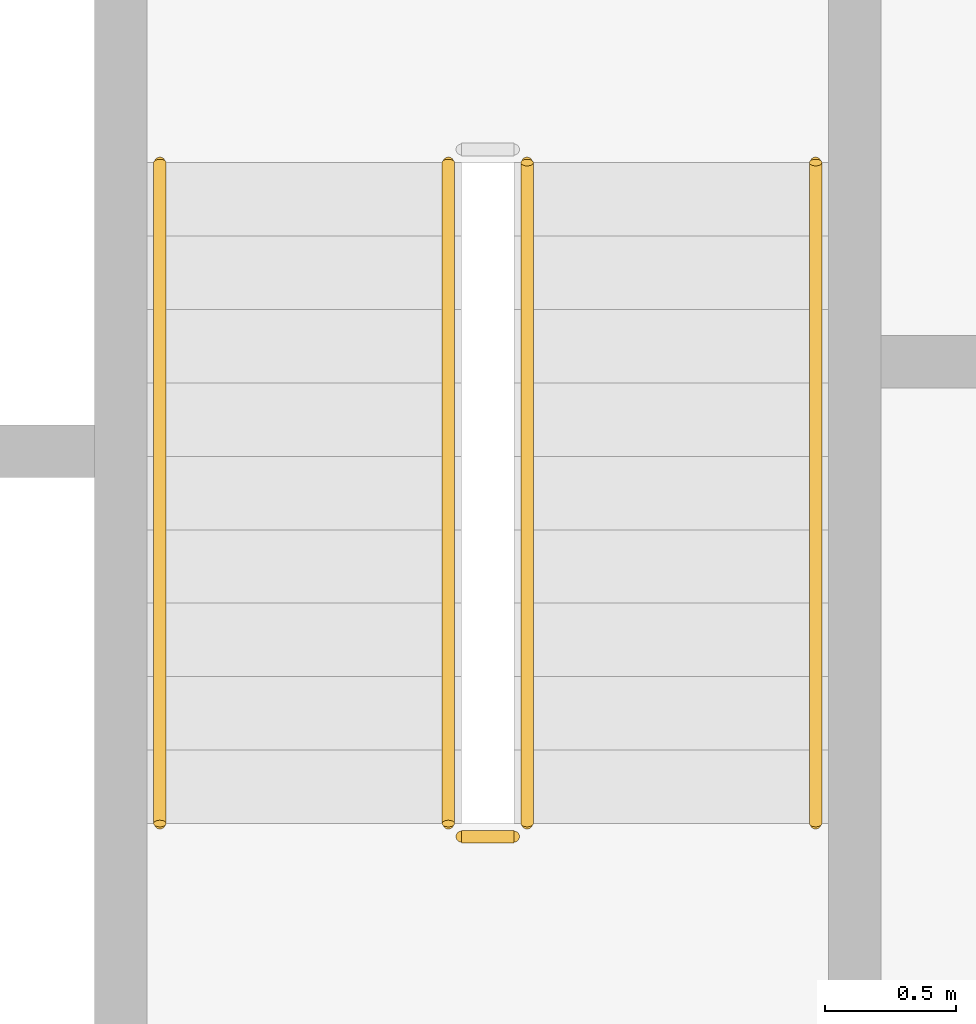
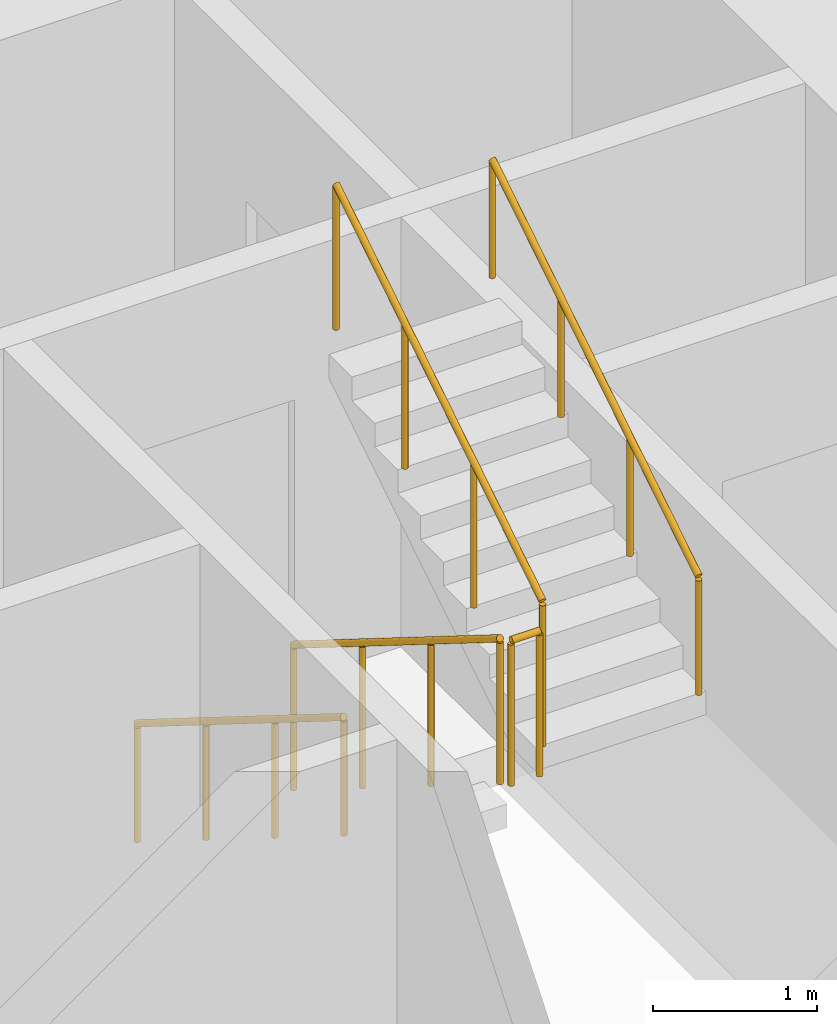
# One storey, part 19 of 22: 5 railings.
"""IFC4 building model written with IfcOpenShell, lengths in metres."""

from ifc_helpers import new_model, si_unit, direction, frame, origin, origin_2d, place, context, subcontext, project, spatial, circle, extrude, material, type_object, element, save


model = new_model("IFC4")

# Units and contexts
model_context = context("Model", 3, precision=1e-05, world=origin(), true_north=direction((0.0, 1.0)))
body_context = subcontext(model_context, "Body", "Model", "MODEL_VIEW")
ifc_project = project(units=[si_unit("LENGTHUNIT", "METRE"), si_unit("AREAUNIT", "SQUARE_METRE"), si_unit("VOLUMEUNIT", "CUBIC_METRE"), si_unit("PLANEANGLEUNIT", "RADIAN"), si_unit("MASSUNIT", "GRAM", prefix="KILO")], contexts=[model_context])

# Site, building, storey
site_placement = place(None, origin())
site = spatial("IfcSite", under=ifc_project, at=site_placement, CompositionType="ELEMENT")
building_placement = place(site_placement, origin())
building = spatial("IfcBuilding", under=site, at=building_placement, Name="Kiln Ring Residences", CompositionType="ELEMENT")
storey_placement = place(building_placement, frame((0.0, 0.0, 139.60009765625)))
storey = spatial("IfcBuildingStorey", under=building, at=storey_placement, Name="L35", CompositionType="ELEMENT", Elevation=139.60009765625)

# Railings
ifc_material_1 = material(Name="Stainless steel", Category="steel")
railing_type_1 = type_object("IfcRailingType", Name="CORE-STAIR-GUARD", PredefinedType="GUARDRAIL", material=ifc_material_1)
railing_1_placement = place(storey_placement, frame((21.949951171875, 8.39990234375, 0.1748046875)))
element("IfcRailing", 1, at=railing_1_placement, inside=storey, type_object=railing_type_1, Name="L35 E-STN stair guard 1", PredefinedType="GUARDRAIL", context=body_context, shape_type="SweptSolid", body=[
    extrude(circle(Radius=0.02392578125, at=origin_2d()), frame((0.0, 0.0, 1.076171875), z_axis=(0.0, -0.847970611238, 0.530043245855), x_axis=(1.0, 0.0, 0.0)), (0.0, 0.0, 1.0), 2.971923828125),
    extrude(circle(Radius=0.02099609375, at=origin_2d()), origin(), (0.0, 0.0, 1.0), 1.052001953125),
    extrude(circle(Radius=0.02099609375, at=origin_2d()), frame((0.0, -0.840087890625, 0.525146484375)), (0.0, 0.0, 1.0), 1.052001953125),
    extrude(circle(Radius=0.02099609375, at=origin_2d()), frame((0.0, -1.679931640625, 1.050048828125)), (0.0, 0.0, 1.0), 1.052001953125),
    extrude(circle(Radius=0.02099609375, at=origin_2d()), frame((0.0, -2.52001953125, 1.5751953125)), (0.0, 0.0, 1.0), 1.052001953125),
])
railing_2_placement = place(storey_placement, frame((22.0, 5.830078125, 1.75)))
element("IfcRailing", 2, at=railing_2_placement, inside=storey, type_object=railing_type_1, Name="L35 E-STN stair guard 2", PredefinedType="GUARDRAIL", context=body_context, shape_type="SweptSolid", body=[
    extrude(circle(Radius=0.02392578125, at=origin_2d()), frame((0.0, 0.0, 1.076171875), z_axis=(1.0, 0.0, 0.0), x_axis=(0.0, 1.0, 0.0)), (0.0, 0.0, 1.0), 0.199951171875),
    extrude(circle(Radius=0.02099609375, at=origin_2d()), origin(), (0.0, 0.0, 1.0), 1.052001953125),
    extrude(circle(Radius=0.02099609375, at=origin_2d()), frame((0.199951171875, 0.0, 0.0)), (0.0, 0.0, 1.0), 1.052001953125),
])
railing_3_placement = place(storey_placement, frame((22.25, 5.8798828125, 1.9248046875)))
element("IfcRailing", 3, at=railing_3_placement, inside=storey, type_object=railing_type_1, Name="L35 E-STN stair guard 3", PredefinedType="GUARDRAIL", context=body_context, shape_type="SweptSolid", body=[
    extrude(circle(Radius=0.02392578125, at=origin_2d()), frame((0.0, 0.0, 1.076171875), z_axis=(0.0, 0.847970611238, 0.530043245855), x_axis=(-1.0, 0.0, 0.0)), (0.0, 0.0, 1.0), 2.971923828125),
    extrude(circle(Radius=0.02099609375, at=origin_2d()), origin(), (0.0, 0.0, 1.0), 1.052001953125),
    extrude(circle(Radius=0.02099609375, at=origin_2d()), frame((0.0, 0.840087890625, 0.525146484375)), (0.0, 0.0, 1.0), 1.052001953125),
    extrude(circle(Radius=0.02099609375, at=origin_2d()), frame((0.0, 1.679931640625, 1.050048828125)), (0.0, 0.0, 1.0), 1.052001953125),
    extrude(circle(Radius=0.02099609375, at=origin_2d()), frame((0.0, 2.52001953125, 1.5751953125)), (0.0, 0.0, 1.0), 1.052001953125),
])
ifc_material_2 = material(Name="Stainless steel", Category="steel")
railing_type_2 = type_object("IfcRailingType", Name="CORE-STAIR-HANDRAIL", PredefinedType="HANDRAIL", material=ifc_material_2)
railing_4_placement = place(storey_placement, frame((20.85009765625, 8.39990234375, 0.1748046875)))
element("IfcRailing", 4, at=railing_4_placement, inside=storey, type_object=railing_type_2, Name="L35 E-STN stair handrail 1", PredefinedType="HANDRAIL", context=body_context, shape_type="SweptSolid", body=[
    extrude(circle(Radius=0.02392578125, at=origin_2d()), frame((0.0, 0.0, 0.8759765625), z_axis=(0.0, -0.847970611238, 0.530043245855), x_axis=(1.0, 0.0, 0.0)), (0.0, 0.0, 1.0), 2.971923828125),
    extrude(circle(Radius=0.02099609375, at=origin_2d()), origin(), (0.0, 0.0, 1.0), 0.851806640625),
    extrude(circle(Radius=0.02099609375, at=origin_2d()), frame((0.0, -0.840087890625, 0.525146484375)), (0.0, 0.0, 1.0), 0.851806640625),
    extrude(circle(Radius=0.02099609375, at=origin_2d()), frame((0.0, -1.679931640625, 1.050048828125)), (0.0, 0.0, 1.0), 0.851806640625),
    extrude(circle(Radius=0.02099609375, at=origin_2d()), frame((0.0, -2.52001953125, 1.5751953125)), (0.0, 0.0, 1.0), 0.851806640625),
])
railing_5_placement = place(storey_placement, frame((23.35009765625, 5.8798828125, 1.9248046875)))
element("IfcRailing", 5, at=railing_5_placement, inside=storey, type_object=railing_type_2, Name="L35 E-STN stair handrail 2", PredefinedType="HANDRAIL", context=body_context, shape_type="SweptSolid", body=[
    extrude(circle(Radius=0.02392578125, at=origin_2d()), frame((0.0, 0.0, 0.8759765625), z_axis=(0.0, 0.847970611238, 0.530043245855), x_axis=(-1.0, 0.0, 0.0)), (0.0, 0.0, 1.0), 2.971923828125),
    extrude(circle(Radius=0.02099609375, at=origin_2d()), origin(), (0.0, 0.0, 1.0), 0.851806640625),
    extrude(circle(Radius=0.02099609375, at=origin_2d()), frame((0.0, 0.840087890625, 0.525146484375)), (0.0, 0.0, 1.0), 0.851806640625),
    extrude(circle(Radius=0.02099609375, at=origin_2d()), frame((0.0, 1.679931640625, 1.050048828125)), (0.0, 0.0, 1.0), 0.851806640625),
    extrude(circle(Radius=0.02099609375, at=origin_2d()), frame((0.0, 2.52001953125, 1.5751953125)), (0.0, 0.0, 1.0), 0.851806640625),
])

save(model, "model.ifc")
